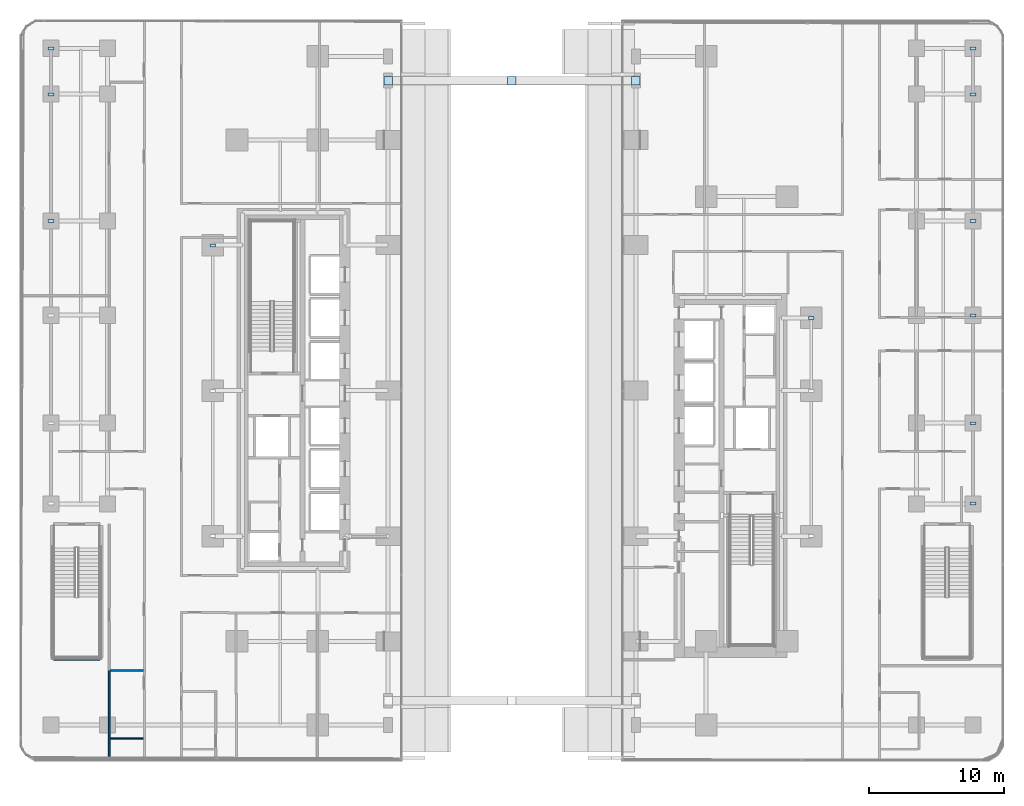
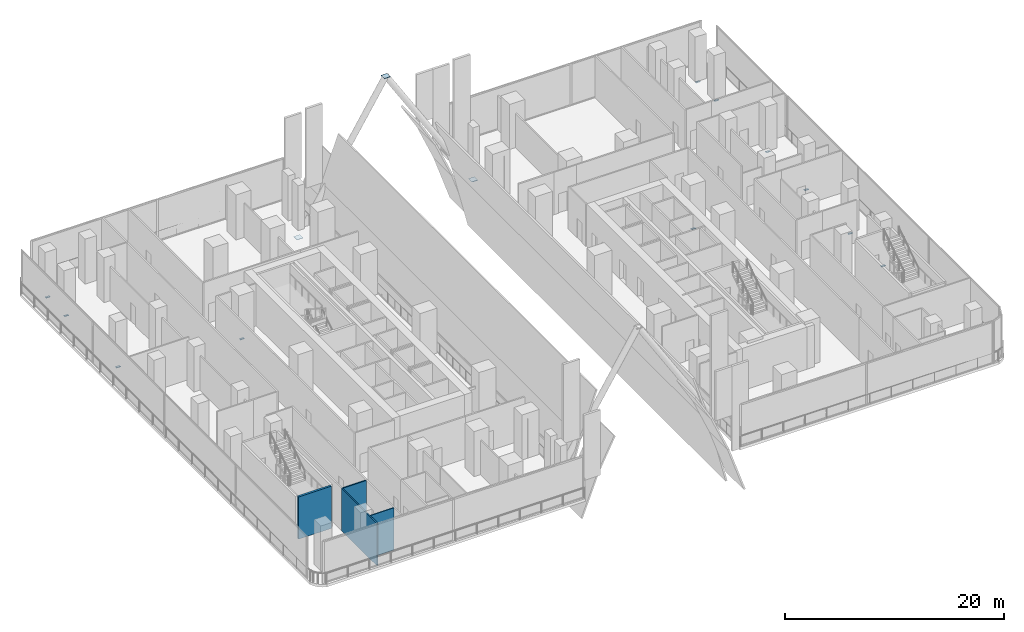
# One storey, part 5 of 31: 14 plates, 4 walls.
"""IFC4 building model written with IfcOpenShell, lengths in metres."""

from ifc_helpers import new_model, si_unit, direction, frame, frame_2d, origin, origin_2d, place, context, subcontext, project, spatial, rectangle, extrude, material, layer, layer_set, type_object, element, save


model = new_model("IFC4")

# Units and contexts
model_context = context("Model", 3, precision=1e-05, world=origin(), true_north=direction((0.0, 1.0)))
body_context = subcontext(model_context, "Body", "Model", "MODEL_VIEW")
ifc_project = project(units=[si_unit("LENGTHUNIT", "METRE"), si_unit("AREAUNIT", "SQUARE_METRE"), si_unit("VOLUMEUNIT", "CUBIC_METRE"), si_unit("PLANEANGLEUNIT", "RADIAN"), si_unit("MASSUNIT", "GRAM", prefix="KILO")], contexts=[model_context])

# Site, building, storey
site_placement = place(None, origin())
site = spatial("IfcSite", under=ifc_project, at=site_placement, CompositionType="ELEMENT")
building_placement = place(site_placement, origin())
building = spatial("IfcBuilding", under=site, at=building_placement, Name="Khairoan Windgate Tower", CompositionType="ELEMENT")
storey_placement = place(building_placement, frame((0.0, 0.0, 6.0)))
storey = spatial("IfcBuildingStorey", under=building, at=storey_placement, Name="L02", CompositionType="ELEMENT", Elevation=6.0)

# Plates
ifc_material_1 = material(Name="Steel S355", Category="steel")
ifc_layer_1 = layer(ifc_material_1, 0.0400390625, Name="Steel S355")
ifc_layer_set_1 = layer_set([ifc_layer_1], Name="Steel S355")
plate_type = type_object("IfcPlateType", Name="Hollow Section End-Cap Plate PL-CAP40", PredefinedType="SHEET", material=ifc_layer_set_1)
for number, where, z_axis, x_axis, name in (
    (1, (-9.192138671875, 23.0, -1.207275390625), (0.0, 0.0, 1.0), (1.0, 0.0, 0.0), "ARCH-RIB-N-1 steel end-cap plate 1"),
    (2, (-0.0078125, 23.0, 13.517333984375), (0.0, 0.0, 1.0), (1.0, 0.0, 0.0), "ARCH-RIB-N-1 steel end-cap plate 2"),
    (3, (9.192138671875, 23.0, -1.207275390625), (0.0, 0.0, 1.0), (1.0, 0.0, 0.0), "ARCH-RIB-N-2 steel end-cap plate 2"),
):
    element("IfcPlate", number, at=place(storey_placement, frame(where, z_axis=z_axis, x_axis=x_axis)), inside=storey, type_object=plate_type, Name=name, PredefinedType="SHEET", context=body_context, shape_type="SweptSolid", body=[
        extrude(rectangle(XDim=0.6298828125, YDim=0.6298828125, at=origin_2d()), origin(), (0.0, 0.0, 1.0), 0.0400390625),
    ])
for number, where, z_axis, x_axis, name in (
    (4, (-34.199951171875, 12.5849609375, -0.52001953125), (0.0, 0.0, 1.0), (0.0, 1.0, 0.0), "BM-SP-L02-045 steel end-cap plate 2"),
    (5, (-34.199951171875, 21.985107421875, -0.52001953125), (0.0, 0.0, 1.0), (0.0, 1.0, 0.0), "BM-SP-L02-046 steel end-cap plate 2"),
    (6, (-34.199951171875, 25.385009765625, -0.52001953125), (0.0, 0.0, 1.0), (0.0, 1.0, 0.0), "BM-SP-L02-047 steel end-cap plate 2"),
    (7, (-22.199951171875, 10.784912109375, -0.52001953125), (0.0, 0.0, 1.0), (0.0, 1.0, 0.0), "BM-SP-L02-054 steel end-cap plate 2"),
    (8, (22.199951171875, 5.385009765625, -0.52001953125), (0.0, 0.0, 1.0), (0.0, 1.0, 0.0), "BM-SP-L02-085 steel end-cap plate 2"),
    (9, (34.199951171875, -8.385009765625, -0.52001953125), (0.0, 0.0, 1.0), (0.0, 1.0, 0.0), "BM-SP-L02-091 steel end-cap plate 1"),
    (10, (34.199951171875, -2.4150390625, -0.52001953125), (0.0, 0.0, 1.0), (0.0, 1.0, 0.0), "BM-SP-L02-091 steel end-cap plate 2"),
    (11, (34.199951171875, 5.5849609375, -0.52001953125), (0.0, 0.0, 1.0), (0.0, 1.0, 0.0), "BM-SP-L02-092 steel end-cap plate 2"),
    (12, (34.199951171875, 12.5849609375, -0.52001953125), (0.0, 0.0, 1.0), (0.0, 1.0, 0.0), "BM-SP-L02-093 steel end-cap plate 2"),
    (13, (34.199951171875, 21.985107421875, -0.52001953125), (0.0, 0.0, 1.0), (0.0, 1.0, 0.0), "BM-SP-L02-094 steel end-cap plate 2"),
    (14, (34.199951171875, 25.385009765625, -0.52001953125), (0.0, 0.0, 1.0), (0.0, 1.0, 0.0), "BM-SP-L02-095 steel end-cap plate 2"),
):
    element("IfcPlate", number, at=place(storey_placement, frame(where, z_axis=z_axis, x_axis=x_axis)), inside=storey, type_object=plate_type, Name=name, PredefinedType="SHEET", context=body_context, shape_type="SweptSolid", body=[
        extrude(rectangle(XDim=0.219970703125, YDim=0.419921875, at=origin_2d()), origin(), (0.0, 0.0, 1.0), 0.0400390625),
    ])

# Walls
ifc_material_2 = material(Name="Moisture-Resistant Gypsum Partition", Category="gypsum")
ifc_layer_2 = layer(ifc_material_2, 0.10009765625, Name="Moisture-Resistant Gypsum Partition")
ifc_layer_set_2 = layer_set([ifc_layer_2], Name="Moisture-Resistant Gypsum Partition")
wall_type_1 = type_object("IfcWallType", Name="Bathroom Wet-Area Partition Wall", PredefinedType="PARTITIONING", material=ifc_layer_set_2)
wall_1_placement = place(storey_placement, frame((-27.35498046875, -25.800048828125, 0.0), z_axis=(0.0, 0.0, 1.0), x_axis=(-1.0, 0.0, 0.0)))
element("IfcWall", 15, at=wall_1_placement, inside=storey, type_object=wall_type_1, Name="L02 Wet Room Side Wall 081", PredefinedType="PARTITIONING", context=body_context, shape_type="SweptSolid", body=[
    extrude(rectangle(XDim=2.455078125, YDim=0.10009765625, at=frame_2d((1.2275390625, 0.0))), origin(), (0.0, 0.0, 1.0), 4.699951171875),
])
ifc_material_3 = material(Name="Acoustic Fire-Rated Gypsum Partition", Category="gypsum")
ifc_layer_3 = layer(ifc_material_3, 0.139892578125, Name="Acoustic Fire-Rated Gypsum Partition")
ifc_layer_set_3 = layer_set([ifc_layer_3], Name="Acoustic Fire-Rated Gypsum Partition")
wall_type_2 = type_object("IfcWallType", Name="Inter-Tenancy Compartment Wall", PredefinedType="PARTITIONING", material=ifc_layer_set_3)
wall_2_placement = place(storey_placement, frame((-29.81005859375, -20.760009765625, 0.0), z_axis=(0.0, 0.0, 1.0), x_axis=(1.0, 0.0, 0.0)))
element("IfcWall", 16, at=wall_2_placement, inside=storey, type_object=wall_type_2, Name="L02 Interior Partition 035", PredefinedType="PARTITIONING", context=body_context, shape_type="SweptSolid", body=[
    extrude(rectangle(XDim=2.455078125, YDim=0.139892578125, at=frame_2d((1.2275390625, 0.0))), origin(), (0.0, 0.0, 1.0), 4.699951171875),
])
wall_3_placement = place(storey_placement, frame((-29.8798828125, -27.240966796875, 0.0), z_axis=(0.0, 0.0, 1.0), x_axis=(0.0, 1.0, 0.0)))
element("IfcWall", 17, at=wall_3_placement, inside=storey, type_object=wall_type_2, Name="L02 Interior Partition 036", PredefinedType="PARTITIONING", context=body_context, shape_type="SweptSolid", body=[
    extrude(rectangle(XDim=6.48095703125, YDim=0.139892578125, at=frame_2d((3.240478515625, 0.0))), origin(), (0.0, 0.0, 1.0), 4.699951171875),
])
ifc_material_4 = material(Name="Concrete C50/60", Category="concrete")
ifc_layer_4 = layer(ifc_material_4, 0.219970703125, Name="Concrete C50/60")
ifc_layer_set_4 = layer_set([ifc_layer_4], Name="Concrete C50/60")
wall_type_3 = type_object("IfcWallType", Name="Shear Wall SW-ST 220mm", PredefinedType="SHEAR", material=ifc_layer_set_4)
wall_4_placement = place(storey_placement, frame((-34.02001953125, -19.909912109375, 0.0), z_axis=(0.0, 0.0, 1.0), x_axis=(1.0, 0.0, 0.0)))
element("IfcWall", 18, at=wall_4_placement, inside=storey, type_object=wall_type_3, Name="L02 ST4 South Bearing Wall", PredefinedType="SHEAR", context=body_context, shape_type="SweptSolid", body=[
    extrude(rectangle(XDim=3.469970703125, YDim=0.219970703125, at=frame_2d((1.73486328125, 0.0))), origin(), (0.0, 0.0, 1.0), 4.699951171875),
])

save(model, "model.ifc")
